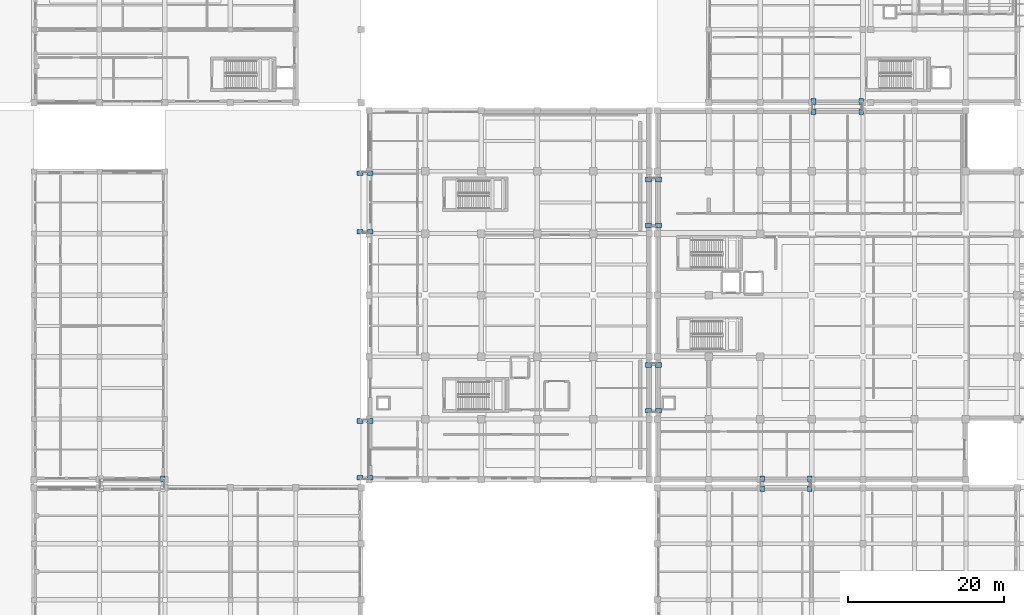
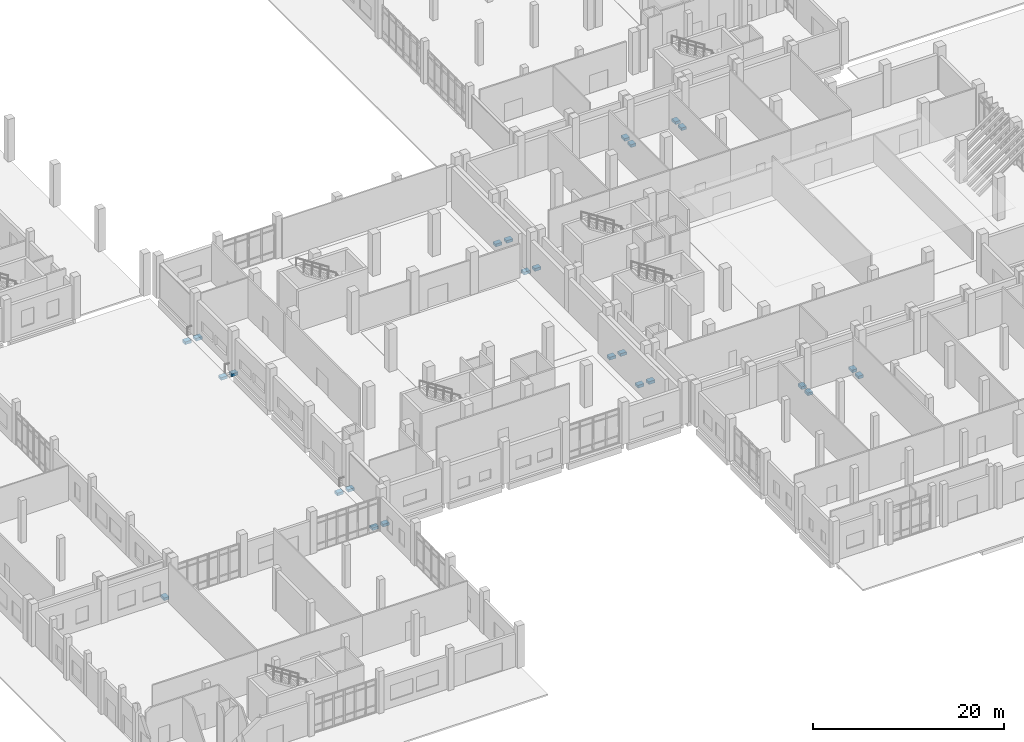
# One storey, part 63 of 79: 25 discrete accessories.
"""IFC4 building model written with IfcOpenShell, lengths in metres."""

from ifc_helpers import new_model, si_unit, direction, frame, origin, origin_2d, place, context, subcontext, project, spatial, rectangle, extrude, material, type_object, element, save


model = new_model("IFC4")

# Units and contexts
model_context = context("Model", 3, precision=1e-05, world=origin(), true_north=direction((0.0, 1.0)))
body_context = subcontext(model_context, "Body", "Model", "MODEL_VIEW")
ifc_project = project(units=[si_unit("LENGTHUNIT", "METRE"), si_unit("AREAUNIT", "SQUARE_METRE"), si_unit("VOLUMEUNIT", "CUBIC_METRE"), si_unit("PLANEANGLEUNIT", "RADIAN"), si_unit("MASSUNIT", "GRAM", prefix="KILO")], contexts=[model_context])

# Site, building, storey
site_placement = place(None, origin())
site = spatial("IfcSite", under=ifc_project, at=site_placement, CompositionType="ELEMENT")
building_placement = place(site_placement, origin())
building = spatial("IfcBuilding", under=site, at=building_placement, Name="Kelarvand Opera House", CompositionType="ELEMENT")
storey_placement = place(building_placement, origin())
storey = spatial("IfcBuildingStorey", under=building, at=storey_placement, Name="L00", CompositionType="ELEMENT", Elevation=0.0)

# Discrete accessories
ifc_material = material(Name="Concrete C40/50", Category="concrete")
discrete_accessory_type = type_object("IfcDiscreteAccessoryType", Name="Seismic Bridge RC Corbel Seat 750mm with 250mm PTFE Sliding Bearing", PredefinedType="SHOE", material=ifc_material)
for number, where, z_axis, x_axis, name in (
    (1, (50.85009765625, 70.64990234375, -0.675048828125), (0.0, 0.0, 1.0), (1.0, 0.0, 0.0), "Seismic Bridge 750mm Corbel Seat & 250mm PTFE Bearing BR-JW-N L00 1.1"),
    (2, (52.14990234375, 70.64990234375, -0.675048828125), (0.0, 0.0, 1.0), (1.0, 0.0, 0.0), "Seismic Bridge 750mm Corbel Seat & 250mm PTFE Bearing BR-JW-N L00 1.2"),
    (3, (50.85009765625, 78.14990234375, -0.675048828125), (0.0, 0.0, 1.0), (1.0, 0.0, 0.0), "Seismic Bridge 750mm Corbel Seat & 250mm PTFE Bearing BR-JW-N L00 2.1"),
    (4, (52.14990234375, 78.14990234375, -0.675048828125), (0.0, 0.0, 1.0), (1.0, 0.0, 0.0), "Seismic Bridge 750mm Corbel Seat & 250mm PTFE Bearing BR-JW-N L00 2.2"),
    (5, (50.85009765625, 39.050048828125, -0.675048828125), (0.0, 0.0, 1.0), (1.0, 0.0, 0.0), "Seismic Bridge 750mm Corbel Seat & 250mm PTFE Bearing BR-JW-S L00 1.1"),
    (6, (52.14990234375, 39.050048828125, -0.675048828125), (0.0, 0.0, 1.0), (1.0, 0.0, 0.0), "Seismic Bridge 750mm Corbel Seat & 250mm PTFE Bearing BR-JW-S L00 1.2"),
    (7, (50.85009765625, 46.35009765625, -0.675048828125), (0.0, 0.0, 1.0), (1.0, 0.0, 0.0), "Seismic Bridge 750mm Corbel Seat & 250mm PTFE Bearing BR-JW-S L00 2.1"),
    (8, (52.14990234375, 46.35009765625, -0.675048828125), (0.0, 0.0, 1.0), (1.0, 0.0, 0.0), "Seismic Bridge 750mm Corbel Seat & 250mm PTFE Bearing BR-JW-S L00 2.2"),
    (9, (87.85009765625, 71.449951171875, -0.675048828125), (0.0, 0.0, 1.0), (1.0, 0.0, 0.0), "Seismic Bridge 750mm Corbel Seat & 250mm PTFE Bearing BR-JP-N L00 1.1"),
    (10, (89.14990234375, 71.449951171875, -0.675048828125), (0.0, 0.0, 1.0), (1.0, 0.0, 0.0), "Seismic Bridge 750mm Corbel Seat & 250mm PTFE Bearing BR-JP-N L00 1.2"),
    (11, (87.85009765625, 77.35009765625, -0.675048828125), (0.0, 0.0, 1.0), (1.0, 0.0, 0.0), "Seismic Bridge 750mm Corbel Seat & 250mm PTFE Bearing BR-JP-N L00 2.1"),
    (12, (89.14990234375, 77.35009765625, -0.675048828125), (0.0, 0.0, 1.0), (1.0, 0.0, 0.0), "Seismic Bridge 750mm Corbel Seat & 250mm PTFE Bearing BR-JP-N L00 2.2"),
    (13, (87.85009765625, 47.64990234375, -0.675048828125), (0.0, 0.0, 1.0), (1.0, 0.0, 0.0), "Seismic Bridge 750mm Corbel Seat & 250mm PTFE Bearing BR-JP-S L00 1.1"),
    (14, (89.14990234375, 47.64990234375, -0.675048828125), (0.0, 0.0, 1.0), (1.0, 0.0, 0.0), "Seismic Bridge 750mm Corbel Seat & 250mm PTFE Bearing BR-JP-S L00 1.2"),
    (15, (87.85009765625, 53.550048828125, -0.675048828125), (0.0, 0.0, 1.0), (1.0, 0.0, 0.0), "Seismic Bridge 750mm Corbel Seat & 250mm PTFE Bearing BR-JP-S L00 2.1"),
    (16, (89.14990234375, 53.550048828125, -0.675048828125), (0.0, 0.0, 1.0), (1.0, 0.0, 0.0), "Seismic Bridge 750mm Corbel Seat & 250mm PTFE Bearing BR-JP-S L00 2.2"),
    (17, (25.550048828125, 38.949951171875, -0.675048828125), (0.0, 0.0, 1.0), (0.0, 1.0, 0.0), "Seismic Bridge 750mm Corbel Seat & 250mm PTFE Bearing BR-JS-W L00 2.2"),
    (18, (102.449951171875, 37.64990234375, -0.675048828125), (0.0, 0.0, 1.0), (0.0, 1.0, 0.0), "Seismic Bridge 750mm Corbel Seat & 250mm PTFE Bearing BR-JS-E L00 1.1"),
    (19, (102.449951171875, 38.949951171875, -0.675048828125), (0.0, 0.0, 1.0), (0.0, 1.0, 0.0), "Seismic Bridge 750mm Corbel Seat & 250mm PTFE Bearing BR-JS-E L00 1.2"),
    (20, (108.550048828125, 37.64990234375, -0.675048828125), (0.0, 0.0, 1.0), (0.0, 1.0, 0.0), "Seismic Bridge 750mm Corbel Seat & 250mm PTFE Bearing BR-JS-E L00 2.1"),
    (21, (108.550048828125, 38.949951171875, -0.675048828125), (0.0, 0.0, 1.0), (0.0, 1.0, 0.0), "Seismic Bridge 750mm Corbel Seat & 250mm PTFE Bearing BR-JS-E L00 2.2"),
    (22, (109.050048828125, 86.050048828125, -0.675048828125), (0.0, 0.0, 1.0), (0.0, 1.0, 0.0), "Seismic Bridge 750mm Corbel Seat & 250mm PTFE Bearing BR-JN-E L00 1.1"),
    (23, (109.050048828125, 87.35009765625, -0.675048828125), (0.0, 0.0, 1.0), (0.0, 1.0, 0.0), "Seismic Bridge 750mm Corbel Seat & 250mm PTFE Bearing BR-JN-E L00 1.2"),
    (24, (115.14990234375, 86.050048828125, -0.675048828125), (0.0, 0.0, 1.0), (0.0, 1.0, 0.0), "Seismic Bridge 750mm Corbel Seat & 250mm PTFE Bearing BR-JN-E L00 2.1"),
    (25, (115.14990234375, 87.35009765625, -0.675048828125), (0.0, 0.0, 1.0), (0.0, 1.0, 0.0), "Seismic Bridge 750mm Corbel Seat & 250mm PTFE Bearing BR-JN-E L00 2.2"),
):
    element("IfcDiscreteAccessory", number, at=place(storey_placement, frame(where, z_axis=z_axis, x_axis=x_axis)), inside=storey, type_object=discrete_accessory_type, Name=name, PredefinedType="SHOE", context=body_context, shape_type="SweptSolid", body=[
        extrude(rectangle(XDim=0.75, YDim=0.60009765625, at=origin_2d()), origin(), (0.0, 0.0, 1.0), 0.35009765625),
    ])

save(model, "model.ifc")
